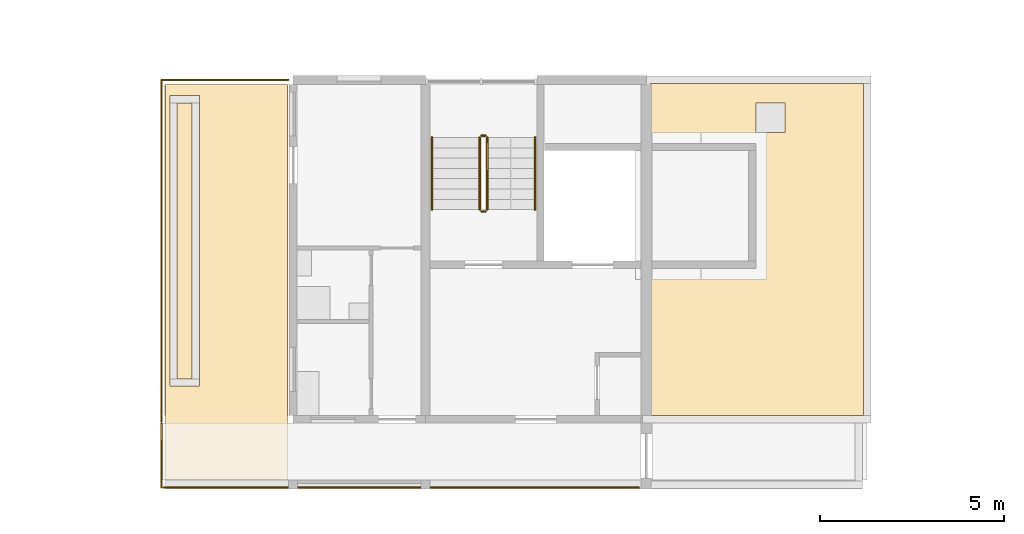
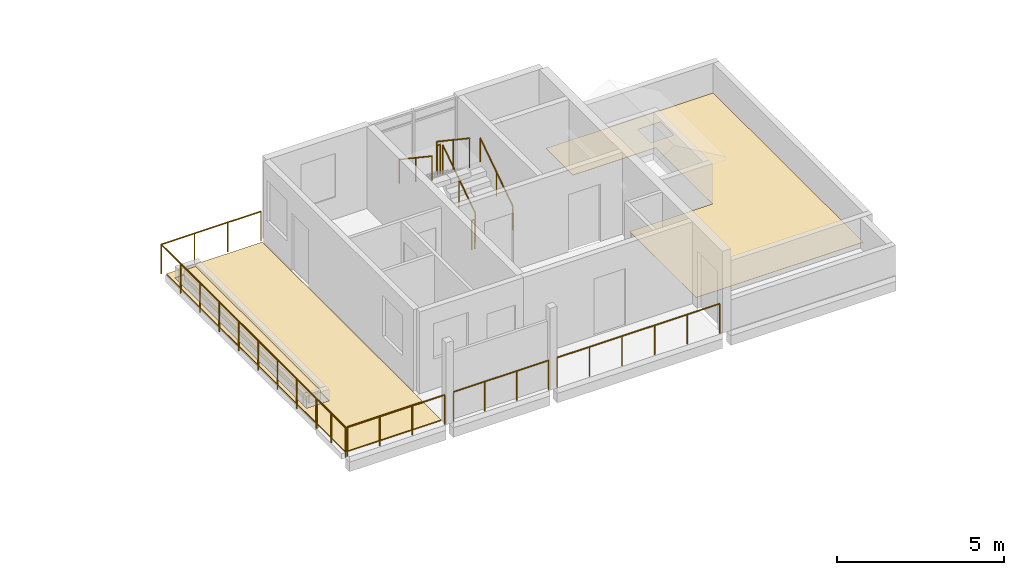
# One storey, part 31 of 33: 11 railings, 4 coverings.
"""IFC4 building model written with IfcOpenShell, lengths in metres."""

from ifc_helpers import new_model, si_unit, direction, frame, origin, origin_2d, place, context, subcontext, project, spatial, polyline, circle, outline, extrude, material, layer, layer_set, type_object, element, save


model = new_model("IFC4")

# Units and contexts
model_context = context("Model", 3, precision=1e-05, world=origin(), true_north=direction((0.0, 1.0)))
body_context = subcontext(model_context, "Body", "Model", "MODEL_VIEW")
ifc_project = project(units=[si_unit("LENGTHUNIT", "METRE"), si_unit("AREAUNIT", "SQUARE_METRE"), si_unit("VOLUMEUNIT", "CUBIC_METRE"), si_unit("PLANEANGLEUNIT", "RADIAN"), si_unit("MASSUNIT", "GRAM", prefix="KILO")], contexts=[model_context])

# Site, building, storey
site_placement = place(None, origin())
site = spatial("IfcSite", under=ifc_project, at=site_placement, CompositionType="ELEMENT")
building_placement = place(site_placement, origin())
building = spatial("IfcBuilding", under=site, at=building_placement, Name="Ridgestep Commons", CompositionType="ELEMENT")
storey_placement = place(building_placement, frame((0.0, 0.0, 42.0)))
storey = spatial("IfcBuildingStorey", under=building, at=storey_placement, Name="L14", CompositionType="ELEMENT", Elevation=42.0)

# Railings
ifc_material_1 = material(Name="Structural steel S355JR", Category="steel")
railing_type_1 = type_object("IfcRailingType", Name="Guard 1100", PredefinedType="GUARDRAIL", material=ifc_material_1)
railing_1_placement = place(storey_placement, frame((82.821044921875, 13.571044921875, 0.0)))
element("IfcRailing", 1, at=railing_1_placement, inside=storey, type_object=railing_type_1, Name="Guard TD-A5R2-GD", PredefinedType="GUARDRAIL", context=body_context, shape_type="SweptSolid", body=[
    extrude(circle(Radius=0.02392578125, at=origin_2d()), frame((0.0, 0.0, 1.076171875), z_axis=(0.0, 1.0, 0.0), x_axis=(-1.0, 0.0, 0.0)), (0.0, 0.0, 1.0), 9.303955078125),
    extrude(circle(Radius=0.02392578125, at=origin_2d()), frame((0.0, 9.303955078125, 1.076171875), z_axis=(1.0, 0.0, 0.0), x_axis=(0.0, 1.0, 0.0)), (0.0, 0.0, 1.0), 3.4580078125),
    extrude(circle(Radius=0.02099609375, at=origin_2d()), origin(), (0.0, 0.0, 1.0), 1.052001953125),
    extrude(circle(Radius=0.02099609375, at=origin_2d()), frame((0.0, 1.1630859375, 0.0)), (0.0, 0.0, 1.0), 1.052001953125),
    extrude(circle(Radius=0.02099609375, at=origin_2d()), frame((0.0, 2.325927734375, 0.0)), (0.0, 0.0, 1.0), 1.052001953125),
    extrude(circle(Radius=0.02099609375, at=origin_2d()), frame((0.0, 3.489013671875, 0.0)), (0.0, 0.0, 1.0), 1.052001953125),
    extrude(circle(Radius=0.02099609375, at=origin_2d()), frame((0.0, 4.65185546875, 0.0)), (0.0, 0.0, 1.0), 1.052001953125),
    extrude(circle(Radius=0.02099609375, at=origin_2d()), frame((0.0, 5.81494140625, 0.0)), (0.0, 0.0, 1.0), 1.052001953125),
    extrude(circle(Radius=0.02099609375, at=origin_2d()), frame((0.0, 6.97802734375, 0.0)), (0.0, 0.0, 1.0), 1.052001953125),
    extrude(circle(Radius=0.02099609375, at=origin_2d()), frame((0.0, 8.140869140625, 0.0)), (0.0, 0.0, 1.0), 1.052001953125),
    extrude(circle(Radius=0.02099609375, at=origin_2d()), frame((0.0, 9.303955078125, 0.0)), (0.0, 0.0, 1.0), 1.052001953125),
    extrude(circle(Radius=0.02099609375, at=origin_2d()), frame((1.152587890625, 9.303955078125, 0.0)), (0.0, 0.0, 1.0), 1.052001953125),
    extrude(circle(Radius=0.02099609375, at=origin_2d()), frame((2.305419921875, 9.303955078125, 0.0)), (0.0, 0.0, 1.0), 1.052001953125),
    extrude(circle(Radius=0.02099609375, at=origin_2d()), frame((3.4580078125, 9.303955078125, 0.0)), (0.0, 0.0, 1.0), 1.052001953125),
])
railing_2_placement = place(storey_placement, frame((82.884033203125, 11.800048828125, 0.0)))
element("IfcRailing", 2, at=railing_2_placement, inside=storey, type_object=railing_type_1, Name="Gallery guard A 14.1", PredefinedType="GUARDRAIL", context=body_context, shape_type="SweptSolid", body=[
    extrude(circle(Radius=0.02392578125, at=origin_2d()), frame((0.0, 0.0, 1.076171875), z_axis=(1.0, 0.0, 0.0), x_axis=(0.0, 1.0, 0.0)), (0.0, 0.0, 1.0), 3.369873046875),
    extrude(circle(Radius=0.02099609375, at=origin_2d()), origin(), (0.0, 0.0, 1.0), 1.052001953125),
    extrude(circle(Radius=0.02099609375, at=origin_2d()), frame((1.123291015625, 0.0, 0.0)), (0.0, 0.0, 1.0), 1.052001953125),
    extrude(circle(Radius=0.02099609375, at=origin_2d()), frame((2.24658203125, 0.0, 0.0)), (0.0, 0.0, 1.0), 1.052001953125),
    extrude(circle(Radius=0.02099609375, at=origin_2d()), frame((3.369873046875, 0.0, 0.0)), (0.0, 0.0, 1.0), 1.052001953125),
])
railing_3_placement = place(storey_placement, frame((82.821044921875, 11.800048828125, 0.0)))
element("IfcRailing", 3, at=railing_3_placement, inside=storey, type_object=railing_type_1, Name="Gallery end guard A 14.1W", PredefinedType="GUARDRAIL", context=body_context, shape_type="SweptSolid", body=[
    extrude(circle(Radius=0.02392578125, at=origin_2d()), frame((0.0, 0.0, 1.076171875), z_axis=(0.0, 1.0, 0.0), x_axis=(-1.0, 0.0, 0.0)), (0.0, 0.0, 1.0), 1.72900390625),
    extrude(circle(Radius=0.02099609375, at=origin_2d()), origin(), (0.0, 0.0, 1.0), 1.052001953125),
    extrude(circle(Radius=0.02099609375, at=origin_2d()), frame((0.0, 0.864501953125, 0.0)), (0.0, 0.0, 1.0), 1.052001953125),
    extrude(circle(Radius=0.02099609375, at=origin_2d()), frame((0.0, 1.72900390625, 0.0)), (0.0, 0.0, 1.0), 1.052001953125),
])
railing_4_placement = place(storey_placement, frame((86.5458984375, 11.800048828125, 0.0)))
element("IfcRailing", 4, at=railing_4_placement, inside=storey, type_object=railing_type_1, Name="Gallery guard A 14.2", PredefinedType="GUARDRAIL", context=body_context, shape_type="SweptSolid", body=[
    extrude(circle(Radius=0.02392578125, at=origin_2d()), frame((0.0, 0.0, 1.076171875), z_axis=(1.0, 0.0, 0.0), x_axis=(0.0, 1.0, 0.0)), (0.0, 0.0, 1.0), 3.30810546875),
    extrude(circle(Radius=0.02099609375, at=origin_2d()), origin(), (0.0, 0.0, 1.0), 1.052001953125),
    extrude(circle(Radius=0.02099609375, at=origin_2d()), frame((1.102783203125, 0.0, 0.0)), (0.0, 0.0, 1.0), 1.052001953125),
    extrude(circle(Radius=0.02099609375, at=origin_2d()), frame((2.205322265625, 0.0, 0.0)), (0.0, 0.0, 1.0), 1.052001953125),
    extrude(circle(Radius=0.02099609375, at=origin_2d()), frame((3.30810546875, 0.0, 0.0)), (0.0, 0.0, 1.0), 1.052001953125),
])
railing_5_placement = place(storey_placement, frame((90.14599609375, 11.800048828125, 0.0)))
element("IfcRailing", 5, at=railing_5_placement, inside=storey, type_object=railing_type_1, Name="Gallery guard A 14.3", PredefinedType="GUARDRAIL", context=body_context, shape_type="SweptSolid", body=[
    extrude(circle(Radius=0.02392578125, at=origin_2d()), frame((0.0, 0.0, 1.076171875), z_axis=(1.0, 0.0, 0.0), x_axis=(0.0, 1.0, 0.0)), (0.0, 0.0, 1.0), 5.64306640625),
    extrude(circle(Radius=0.02099609375, at=origin_2d()), origin(), (0.0, 0.0, 1.0), 1.052001953125),
    extrude(circle(Radius=0.02099609375, at=origin_2d()), frame((1.128662109375, 0.0, 0.0)), (0.0, 0.0, 1.0), 1.052001953125),
    extrude(circle(Radius=0.02099609375, at=origin_2d()), frame((2.25732421875, 0.0, 0.0)), (0.0, 0.0, 1.0), 1.052001953125),
    extrude(circle(Radius=0.02099609375, at=origin_2d()), frame((3.3857421875, 0.0, 0.0)), (0.0, 0.0, 1.0), 1.052001953125),
    extrude(circle(Radius=0.02099609375, at=origin_2d()), frame((4.514404296875, 0.0, 0.0)), (0.0, 0.0, 1.0), 1.052001953125),
    extrude(circle(Radius=0.02099609375, at=origin_2d()), frame((5.64306640625, 0.0, 0.0)), (0.0, 0.0, 1.0), 1.052001953125),
])

# Coverings
ifc_material_2 = material(Name="Planting soil")
ifc_layer_1 = layer(ifc_material_2, 0.35009765625)
ifc_layer_set_1 = layer_set([ifc_layer_1], Name="Planting soil 350")
covering_type_1 = type_object("IfcCoveringType", Name="Planting soil 350", PredefinedType="FLOORING", material=ifc_layer_set_1)
covering_1_placement = place(storey_placement, frame((0.0, 0.0, 0.010009765625)))
element("IfcCovering", 6, at=covering_1_placement, inside=storey, type_object=covering_type_1, Name="Planting soil A5R2", PredefinedType="FLOORING", context=body_context, shape_type="SweptSolid", body=[
    extrude(outline(polyline([(83.25, 14.75), (83.64990234375, 14.75), (83.64990234375, 22.25), (83.25, 22.25), (83.25, 14.75)])), origin(), (0.0, 0.0, 1.0), 0.35009765625),
])
ifc_material_3 = material(Name="Bitumen membrane, two layer")
ifc_layer_2 = layer(ifc_material_3, 0.011962890625)
ifc_layer_set_2 = layer_set([ifc_layer_2], Name="Roof membrane 12")
covering_type_2 = type_object("IfcCoveringType", Name="Roof membrane 12", PredefinedType="ROOFING", material=ifc_layer_set_2)
covering_2_placement = place(storey_placement, origin())
element("IfcCovering", 7, at=covering_2_placement, inside=storey, type_object=covering_type_2, Name="Roof membrane A6C", PredefinedType="ROOFING", context=body_context, shape_type="SweptSolid", body=[
    extrude(outline(polyline([(101.89990234375, 22.77490234375), (101.89990234375, 13.75), (96.10009765625, 13.75), (96.10009765625, 17.75), (98.97509765625, 17.75), (98.97509765625, 21.14990234375), (96.10009765625, 21.14990234375), (96.10009765625, 22.77490234375), (101.89990234375, 22.77490234375)]), holes=[polyline([(99.77490234375, 22.25), (98.97509765625, 22.25), (98.97509765625, 21.449951171875), (99.77490234375, 21.449951171875), (99.77490234375, 22.25)])]), origin(), (0.0, 0.0, 1.0), 0.011962890625),
])

# Railings
ifc_material_4 = material(Name="Structural steel S355JR", Category="steel")
railing_type_2 = type_object("IfcRailingType", Name="Stair guard 1100", PredefinedType="GUARDRAIL", material=ifc_material_4)
railing_6_placement = place(storey_placement, frame((91.675048828125, 19.35009765625, 0.1875)))
element("IfcRailing", 8, at=railing_6_placement, inside=storey, type_object=railing_type_2, Name="L14 A5C stair guard 1", PredefinedType="GUARDRAIL", context=body_context, shape_type="SweptSolid", body=[
    extrude(circle(Radius=0.02392578125, at=origin_2d()), frame((0.0, 0.0, 1.076171875), z_axis=(0.0, 0.830902050051, 0.556418712142), x_axis=(-1.0, 0.0, 0.0)), (0.0, 0.0, 1.0), 2.35888671875),
    extrude(circle(Radius=0.02099609375, at=origin_2d()), origin(), (0.0, 0.0, 1.0), 1.052001953125),
    extrude(circle(Radius=0.02099609375, at=origin_2d()), frame((0.0, 0.97998046875, 0.65625)), (0.0, 0.0, 1.0), 1.052001953125),
    extrude(circle(Radius=0.02099609375, at=origin_2d()), frame((0.0, 1.9599609375, 1.3125)), (0.0, 0.0, 1.0), 1.052001953125),
])
railing_7_placement = place(storey_placement, frame((91.625, 21.360107421875, 1.5)))
element("IfcRailing", 9, at=railing_7_placement, inside=storey, type_object=railing_type_2, Name="L14 A5C stair guard 2", PredefinedType="GUARDRAIL", context=body_context, shape_type="SweptSolid", body=[
    extrude(circle(Radius=0.02392578125, at=origin_2d()), frame((0.0, 0.0, 1.076171875), z_axis=(-1.0, 0.0, 0.0), x_axis=(0.0, -1.0, 0.0)), (0.0, 0.0, 1.0), 0.10009765625),
    extrude(circle(Radius=0.02099609375, at=origin_2d()), origin(), (0.0, 0.0, 1.0), 1.052001953125),
    extrude(circle(Radius=0.02099609375, at=origin_2d()), frame((-0.10009765625, 0.0, 0.0)), (0.0, 0.0, 1.0), 1.052001953125),
])
railing_8_placement = place(storey_placement, frame((91.47509765625, 21.31005859375, 1.6875)))
element("IfcRailing", 10, at=railing_8_placement, inside=storey, type_object=railing_type_2, Name="L14 A5C stair guard 3", PredefinedType="GUARDRAIL", context=body_context, shape_type="SweptSolid", body=[
    extrude(circle(Radius=0.02392578125, at=origin_2d()), frame((0.0, 0.0, 1.076171875), z_axis=(0.0, -0.830902050051, 0.556418712142), x_axis=(1.0, 0.0, 0.0)), (0.0, 0.0, 1.0), 2.35888671875),
    extrude(circle(Radius=0.02099609375, at=origin_2d()), origin(), (0.0, 0.0, 1.0), 1.052001953125),
    extrude(circle(Radius=0.02099609375, at=origin_2d()), frame((0.0, -0.97998046875, 0.65625)), (0.0, 0.0, 1.0), 1.052001953125),
    extrude(circle(Radius=0.02099609375, at=origin_2d()), frame((0.0, -1.9599609375, 1.3125)), (0.0, 0.0, 1.0), 1.052001953125),
])
railing_9_placement = place(storey_placement, frame((91.625, 19.300048828125, 0.0)))
element("IfcRailing", 11, at=railing_9_placement, inside=storey, type_object=railing_type_2, Name="L14 A5C stair guard 4", PredefinedType="GUARDRAIL", context=body_context, shape_type="SweptSolid", body=[
    extrude(circle(Radius=0.02392578125, at=origin_2d()), frame((0.0, 0.0, 1.076171875), z_axis=(-1.0, 0.0, 0.0), x_axis=(0.0, -1.0, 0.0)), (0.0, 0.0, 1.0), 0.10009765625),
    extrude(circle(Radius=0.02099609375, at=origin_2d()), origin(), (0.0, 0.0, 1.0), 1.052001953125),
    extrude(circle(Radius=0.02099609375, at=origin_2d()), frame((-0.10009765625, 0.0, 0.0)), (0.0, 0.0, 1.0), 1.052001953125),
])
ifc_material_5 = material(Name="Structural steel S355JR", Category="steel")
railing_type_3 = type_object("IfcRailingType", Name="Stair handrail 900", PredefinedType="HANDRAIL", material=ifc_material_5)
railing_10_placement = place(storey_placement, frame((92.97509765625, 19.35009765625, 0.1875)))
element("IfcRailing", 12, at=railing_10_placement, inside=storey, type_object=railing_type_3, Name="L14 A5C stair handrail 1", PredefinedType="HANDRAIL", context=body_context, shape_type="SweptSolid", body=[
    extrude(circle(Radius=0.02392578125, at=origin_2d()), frame((0.0, 0.0, 0.8759765625), z_axis=(0.0, 0.830902050051, 0.556418712142), x_axis=(-1.0, 0.0, 0.0)), (0.0, 0.0, 1.0), 2.35888671875),
    extrude(circle(Radius=0.02099609375, at=origin_2d()), origin(), (0.0, 0.0, 1.0), 0.851806640625),
    extrude(circle(Radius=0.02099609375, at=origin_2d()), frame((0.0, 0.97998046875, 0.65625)), (0.0, 0.0, 1.0), 0.851806640625),
    extrude(circle(Radius=0.02099609375, at=origin_2d()), frame((0.0, 1.9599609375, 1.3125)), (0.0, 0.0, 1.0), 0.851806640625),
])
railing_11_placement = place(storey_placement, frame((90.175048828125, 21.31005859375, 1.6875)))
element("IfcRailing", 13, at=railing_11_placement, inside=storey, type_object=railing_type_3, Name="L14 A5C stair handrail 2", PredefinedType="HANDRAIL", context=body_context, shape_type="SweptSolid", body=[
    extrude(circle(Radius=0.02392578125, at=origin_2d()), frame((0.0, 0.0, 0.8759765625), z_axis=(0.0, -0.830902050051, 0.556418712142), x_axis=(1.0, 0.0, 0.0)), (0.0, 0.0, 1.0), 2.35888671875),
    extrude(circle(Radius=0.02099609375, at=origin_2d()), origin(), (0.0, 0.0, 1.0), 0.851806640625),
    extrude(circle(Radius=0.02099609375, at=origin_2d()), frame((0.0, -0.97998046875, 0.65625)), (0.0, 0.0, 1.0), 0.851806640625),
    extrude(circle(Radius=0.02099609375, at=origin_2d()), frame((0.0, -1.9599609375, 1.3125)), (0.0, 0.0, 1.0), 0.851806640625),
])

# Coverings
ifc_material_6 = material(Name="Bitumen membrane, two layer")
ifc_layer_3 = layer(ifc_material_6, 0.010009765625)
ifc_layer_set_3 = layer_set([ifc_layer_3], Name="Terrace membrane 10")
covering_type_3 = type_object("IfcCoveringType", Name="Terrace membrane 10", PredefinedType="ROOFING", material=ifc_layer_set_3)
covering_3_placement = place(storey_placement, origin())
element("IfcCovering", 14, at=covering_3_placement, inside=storey, type_object=covering_type_3, Name="Terrace membrane A5R2", PredefinedType="ROOFING", context=body_context, shape_type="SweptSolid", body=[
    extrude(outline(polyline([(86.25, 12.0), (86.25, 22.75), (82.925048828125, 22.75), (82.925048828125, 12.0), (86.25, 12.0)]), holes=[polyline([(83.85009765625, 14.550048828125), (83.85009765625, 22.449951171875), (83.050048828125, 22.449951171875), (83.050048828125, 14.550048828125), (83.85009765625, 14.550048828125)])]), origin(), (0.0, 0.0, 1.0), 0.010009765625),
])
ifc_material_7 = material(Name="Concrete paving slab", Category="concrete")
ifc_layer_4 = layer(ifc_material_7, 0.030029296875)
ifc_layer_set_4 = layer_set([ifc_layer_4], Name="Terrace paving 30")
covering_type_4 = type_object("IfcCoveringType", Name="Terrace paving 30", PredefinedType="FLOORING", material=ifc_layer_set_4)
covering_4_placement = place(storey_placement, frame((0.0, 0.0, 0.010009765625)))
element("IfcCovering", 15, at=covering_4_placement, inside=storey, type_object=covering_type_4, Name="Terrace paving A5R2", PredefinedType="FLOORING", context=body_context, shape_type="SweptSolid", body=[
    extrude(outline(polyline([(86.25, 12.0), (86.25, 22.75), (82.925048828125, 22.75), (82.925048828125, 12.0), (86.25, 12.0)]), holes=[polyline([(83.85009765625, 14.550048828125), (83.85009765625, 22.449951171875), (83.050048828125, 22.449951171875), (83.050048828125, 14.550048828125), (83.85009765625, 14.550048828125)])]), origin(), (0.0, 0.0, 1.0), 0.030029296875),
])

save(model, "model.ifc")
